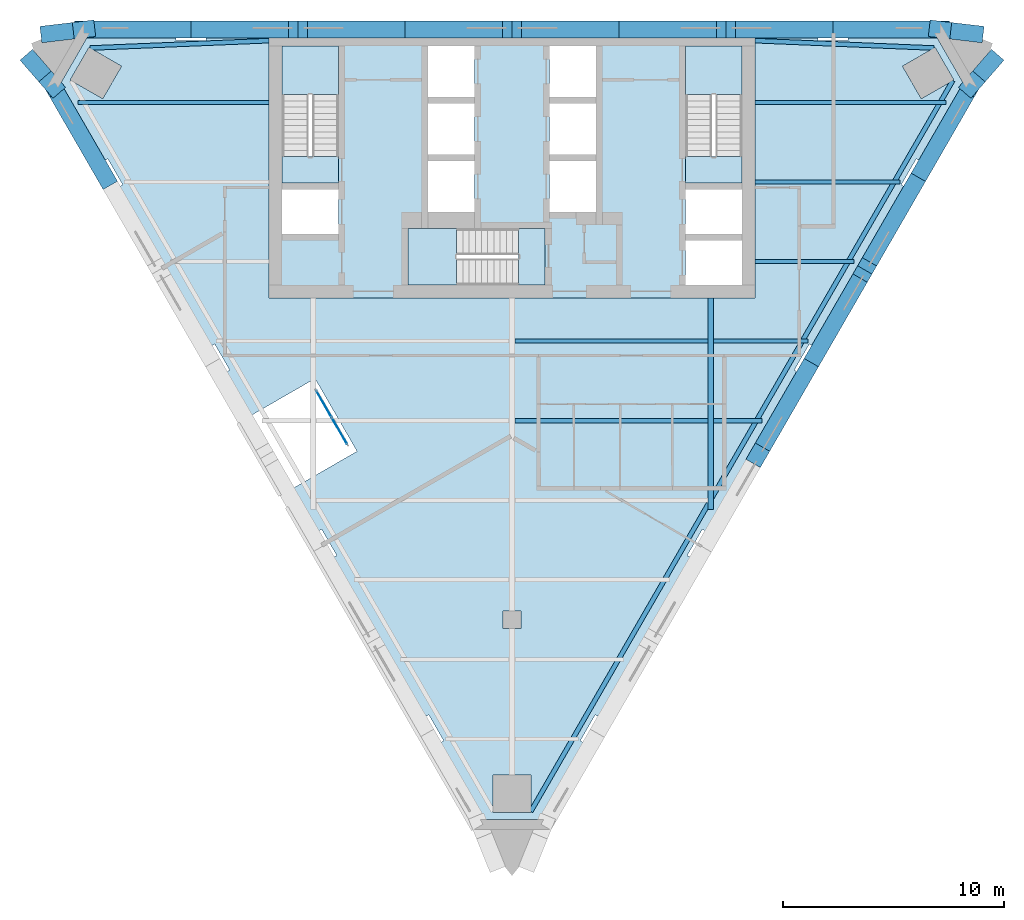
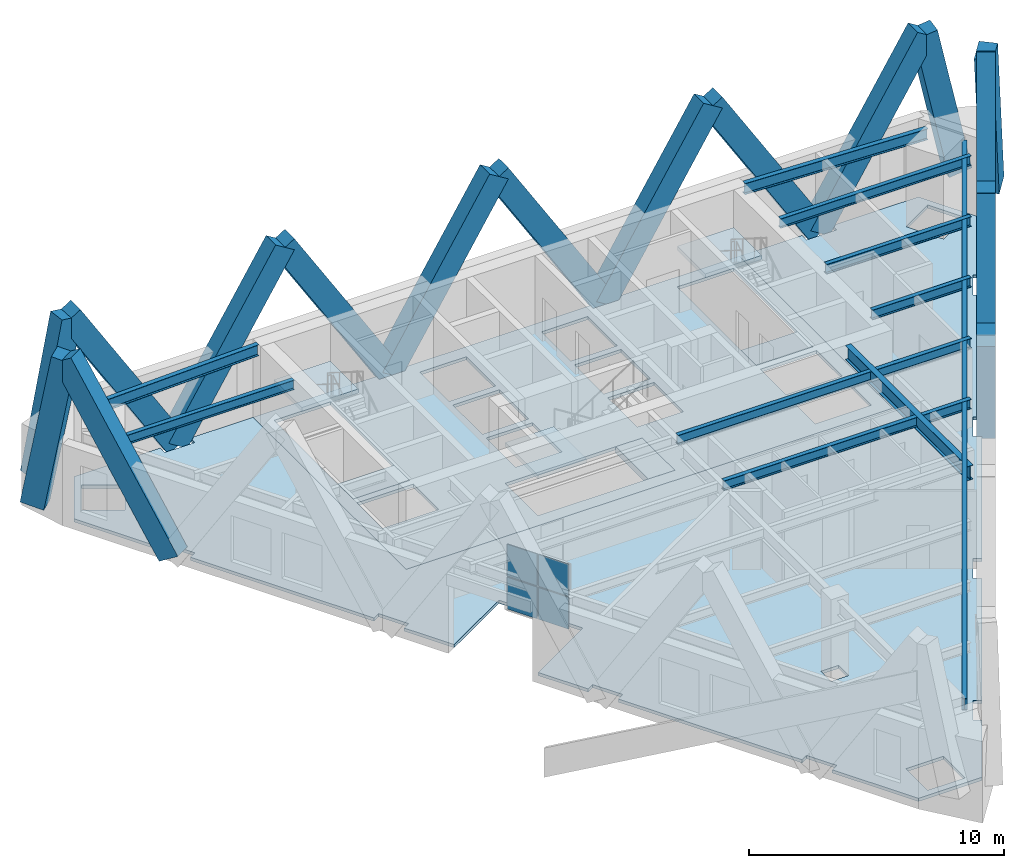
# One storey, part 3 of 9: 17 members, 12 beams, 8 slabs, 4 plates, 4 elements without a shape of their own.
"""IFC4 building model written with IfcOpenShell, lengths in metres."""

from ifc_helpers import new_model, si_unit, direction, frame, origin, origin_2d, place, context, subcontext, project, spatial, polyline, rectangle, i_section, outline, extrude, material, layer, layer_set, material_profile, profile_set, type_object, element, aggregate, save


model = new_model("IFC4")

# Units and contexts
model_context = context("Model", 3, precision=1e-05, world=origin(), true_north=direction((0.0, 1.0)))
body_context = subcontext(model_context, "Body", "Model", "MODEL_VIEW")
ifc_project = project(units=[si_unit("LENGTHUNIT", "METRE"), si_unit("AREAUNIT", "SQUARE_METRE"), si_unit("VOLUMEUNIT", "CUBIC_METRE"), si_unit("PLANEANGLEUNIT", "RADIAN"), si_unit("MASSUNIT", "GRAM", prefix="KILO")], contexts=[model_context])

# Site, building, storey
site_placement = place(None, origin())
site = spatial("IfcSite", under=ifc_project, at=site_placement, CompositionType="ELEMENT")
building_placement = place(site_placement, origin())
building = spatial("IfcBuilding", under=site, at=building_placement, Name="Aloe Facet Convention Tower", CompositionType="ELEMENT")
storey_placement = place(building_placement, frame((0.0, 0.0, 203.60009765625)))
storey = spatial("IfcBuildingStorey", under=building, at=storey_placement, Name="L51", CompositionType="ELEMENT", Elevation=203.60009765625)

# Beams
ifc_material_1 = material(Name="Steel S355", Category="steel")
ifc_material_profile_1 = material_profile(ifc_material_1, i_section(OverallWidth=0.19140625, OverallDepth=0.4599609375, WebThickness=0.010009765625, FlangeThickness=0.01611328125, FilletRadius=0.01025390625, at=origin_2d()), Name="UB 457x191x82")
ifc_profile_set_1 = profile_set([ifc_material_profile_1], Name="Steel S355")
beam_type_1 = type_object("IfcBeamType", Name="SF-B-UB457x191x82", PredefinedType="BEAM", material=ifc_profile_set_1)
beam_1_placement = place(storey_placement, frame((60.373779296875, 131.39990234375, 3.52001953125), z_axis=(1.0, 0.0, 0.0), x_axis=(0.0, 1.0, 0.0)))
element("IfcBeam", 1, at=beam_1_placement, inside=storey, type_object=beam_type_1, Name="Floor beam FB-Z4B-009", PredefinedType="BEAM", context=body_context, shape_type="SweptSolid", body=[
    extrude(i_section(OverallWidth=0.19140625, OverallDepth=0.4599609375, WebThickness=0.010009765625, FlangeThickness=0.01611328125, FilletRadius=0.01025390625, at=origin_2d()), origin(), (0.0, 0.0, 1.0), 8.626220703125),
])
for number, where, z_axis, x_axis, name in (
    (2, (80.12646484375, 117.0, 3.52001953125), (1.0, 0.0, 0.0), (0.0, 1.0, 0.0), "Floor beam FB-Z4B-024"),
    (3, (80.12646484375, 120.60009765625, 3.52001953125), (1.0, 0.0, 0.0), (0.0, 1.0, 0.0), "Floor beam FB-Z4B-025"),
):
    element("IfcBeam", number, at=place(storey_placement, frame(where, z_axis=z_axis, x_axis=x_axis)), inside=storey, type_object=beam_type_1, Name=name, PredefinedType="BEAM", context=body_context, shape_type="SweptSolid", body=[
        extrude(i_section(OverallWidth=0.19140625, OverallDepth=0.4599609375, WebThickness=0.010009765625, FlangeThickness=0.01611328125, FilletRadius=0.01025390625, at=origin_2d()), origin(), (0.0, 0.0, 1.0), 8.7470703125),
    ])
beam_2_placement = place(storey_placement, frame((89.12646484375, 117.0, 3.52001953125), z_axis=(1.0, 0.0, 0.0), x_axis=(0.0, 1.0, 0.0)))
element("IfcBeam", 4, at=beam_2_placement, inside=storey, type_object=beam_type_1, Name="Floor beam FB-Z4B-026", PredefinedType="BEAM", context=body_context, shape_type="SweptSolid", body=[
    extrude(i_section(OverallWidth=0.19140625, OverallDepth=0.4599609375, WebThickness=0.010009765625, FlangeThickness=0.01611328125, FilletRadius=0.01025390625, at=origin_2d()), origin(), (0.0, 0.0, 1.0), 2.185791015625),
])
beam_3_placement = place(storey_placement, frame((89.12646484375, 120.60009765625, 3.52001953125), z_axis=(1.0, 0.0, 0.0), x_axis=(0.0, 1.0, 0.0)))
element("IfcBeam", 5, at=beam_3_placement, inside=storey, type_object=beam_type_1, Name="Floor beam FB-Z4B-027", PredefinedType="BEAM", context=body_context, shape_type="SweptSolid", body=[
    extrude(i_section(OverallWidth=0.19140625, OverallDepth=0.4599609375, WebThickness=0.010009765625, FlangeThickness=0.01611328125, FilletRadius=0.01025390625, at=origin_2d()), origin(), (0.0, 0.0, 1.0), 4.264404296875),
])
beam_4_placement = place(storey_placement, frame((91.0, 124.199951171875, 3.52001953125), z_axis=(1.0, 0.0, 0.0), x_axis=(0.0, 1.0, 0.0)))
element("IfcBeam", 6, at=beam_4_placement, inside=storey, type_object=beam_type_1, Name="Floor beam FB-Z4B-028", PredefinedType="BEAM", context=body_context, shape_type="SweptSolid", body=[
    extrude(i_section(OverallWidth=0.19140625, OverallDepth=0.4599609375, WebThickness=0.010009765625, FlangeThickness=0.01611328125, FilletRadius=0.01025390625, at=origin_2d()), origin(), (0.0, 0.0, 1.0), 4.46923828125),
])
beam_5_placement = place(storey_placement, frame((91.0, 127.800048828125, 3.52001953125), z_axis=(1.0, 0.0, 0.0), x_axis=(0.0, 1.0, 0.0)))
element("IfcBeam", 7, at=beam_5_placement, inside=storey, type_object=beam_type_1, Name="Floor beam FB-Z4B-029", PredefinedType="BEAM", context=body_context, shape_type="SweptSolid", body=[
    extrude(i_section(OverallWidth=0.19140625, OverallDepth=0.4599609375, WebThickness=0.010009765625, FlangeThickness=0.01611328125, FilletRadius=0.01025390625, at=origin_2d()), origin(), (0.0, 0.0, 1.0), 6.547607421875),
])
beam_6_placement = place(storey_placement, frame((91.0, 131.39990234375, 3.52001953125), z_axis=(1.0, 0.0, 0.0), x_axis=(0.0, 1.0, 0.0)))
element("IfcBeam", 8, at=beam_6_placement, inside=storey, type_object=beam_type_1, Name="Floor beam FB-Z4B-030", PredefinedType="BEAM", context=body_context, shape_type="SweptSolid", body=[
    extrude(i_section(OverallWidth=0.19140625, OverallDepth=0.4599609375, WebThickness=0.010009765625, FlangeThickness=0.01611328125, FilletRadius=0.01025390625, at=origin_2d()), origin(), (0.0, 0.0, 1.0), 8.626220703125),
])
ifc_material_2 = material(Name="Steel S355", Category="steel")
ifc_material_profile_2 = material_profile(ifc_material_2, i_section(OverallWidth=0.209228515625, OverallDepth=0.533203125, WebThickness=0.010009765625, FlangeThickness=0.015625, FilletRadius=0.0126953125, at=origin_2d()), Name="UB 533x210x92")
ifc_profile_set_2 = profile_set([ifc_material_profile_2], Name="Steel S355")
beam_type_2 = type_object("IfcBeamType", Name="SF-B-UB533x210x92", PredefinedType="BEAM", material=ifc_profile_set_2)
for number, where, z_axis, x_axis, name in (
    (9, (60.9072265625, 133.861572265625, 3.4833984375), (0.999150743543, 0.041204267721, 0.0), (-0.041204267721, 0.999150743543, 0.0), "Floor beam FB-Z4B-001"),
    (10, (91.0, 134.1953125, 3.4833984375), (0.999150743543, -0.041204267721, 0.0), (0.041204267721, 0.999150743543, 0.0), "Floor beam FB-Z4B-003"),
):
    element("IfcBeam", number, at=place(storey_placement, frame(where, z_axis=z_axis, x_axis=x_axis)), inside=storey, type_object=beam_type_2, Name=name, PredefinedType="BEAM", context=body_context, shape_type="SweptSolid", body=[
        extrude(i_section(OverallWidth=0.209228515625, OverallDepth=0.533203125, WebThickness=0.010009765625, FlangeThickness=0.015625, FilletRadius=0.0126953125, at=origin_2d()), origin(), (0.0, 0.0, 1.0), 8.099609375),
    ])
beam_7_placement = place(storey_placement, frame((99.94287109375, 132.389404296875, 3.4833984375), z_axis=(-0.499998065821, -0.866026520481, 0.0), x_axis=(0.866026520481, -0.499998065821, 0.0)))
element("IfcBeam", 11, at=beam_7_placement, inside=storey, type_object=beam_type_2, Name="Floor beam FB-Z4B-004", PredefinedType="BEAM", context=body_context, shape_type="SweptSolid", body=[
    extrude(i_section(OverallWidth=0.209228515625, OverallDepth=0.533203125, WebThickness=0.010009765625, FlangeThickness=0.015625, FilletRadius=0.0126953125, at=origin_2d()), origin(), (0.0, 0.0, 1.0), 38.185791015625),
])
ifc_material_3 = material(Name="Steel S355", Category="steel")
ifc_material_profile_3 = material_profile(ifc_material_3, i_section(OverallWidth=0.2529296875, OverallDepth=0.677978515625, WebThickness=0.01171875, FlangeThickness=0.01611328125, FilletRadius=0.01513671875, at=origin_2d()), Name="UB 686x254x125")
ifc_profile_set_3 = profile_set([ifc_material_profile_3], Name="Steel S355")
beam_type_3 = type_object("IfcBeamType", Name="SF-B-UB686x254x125", PredefinedType="BEAM", material=ifc_profile_set_3)
beam_8_placement = place(storey_placement, frame((89.0, 122.550048828125, 3.410888671875), z_axis=(0.0, -1.0, 0.0), x_axis=(1.0, 0.0, 0.0)))
element("IfcBeam", 12, at=beam_8_placement, inside=storey, type_object=beam_type_3, Name="Floor beam FB-Z4B-008", PredefinedType="BEAM", context=body_context, shape_type="SweptSolid", body=[
    extrude(i_section(OverallWidth=0.2529296875, OverallDepth=0.677978515625, WebThickness=0.01171875, FlangeThickness=0.01611328125, FilletRadius=0.01513671875, at=origin_2d()), origin(), (0.0, 0.0, 1.0), 9.5625),
])

# Members
ifc_material_4 = material(Name="Concrete C60/75, bronze oxide finish", Category="concrete")
ifc_material_profile_4 = material_profile(ifc_material_4, rectangle(XDim=0.75, YDim=1.0, at=origin_2d()), Name="STW-LM")
ifc_profile_set_4 = profile_set([ifc_material_profile_4], Name="Concrete C60/75, bronze oxide finish")
member_type = type_object("IfcMemberType", Name="STW-LM", PredefinedType="BRACE", material=ifc_profile_set_4)
for number, where, z_axis, x_axis, name in (
    (13, (94.5234375, 134.699951171875, 0.0), (0.527347635333, 0.0, 0.849649616906), (0.0, 1.0, 0.0), "Lattice member LM-Z4-F1-R3-01"),
    (14, (94.5234375, 134.699951171875, 0.0), (-0.527347635333, 0.0, 0.849649616906), (0.0, -1.0, 0.0), "Lattice member LM-Z4-F1-R3-02"),
):
    element("IfcMember", number, at=place(storey_placement, frame(where, z_axis=z_axis, x_axis=x_axis)), inside=storey, type_object=member_type, Name=name, PredefinedType="BRACE", context=body_context, shape_type="SweptSolid", body=[
        extrude(rectangle(XDim=0.75, YDim=1.0, at=origin_2d()), origin(), (0.0, 0.0, 1.0), 9.179931640625),
    ])
member_1_placement = place(storey_placement, frame((84.841064453125, 134.699951171875, 0.0), z_axis=(0.527366833811, 0.0, 0.849637700786), x_axis=(0.0, 1.0, 0.0)))
element("IfcMember", 15, at=member_1_placement, inside=storey, type_object=member_type, Name="Lattice member LM-Z4-F1-R3-03", PredefinedType="BRACE", context=body_context, shape_type="SweptSolid", body=[
    extrude(rectangle(XDim=0.75, YDim=1.0, at=origin_2d()), origin(), (0.0, 0.0, 1.0), 9.18017578125),
])
for number, where, z_axis, x_axis, name in (
    (16, (84.841064453125, 134.699951171875, 0.0), (-0.527347635333, 0.0, 0.849649616906), (0.0, -1.0, 0.0), "Lattice member LM-Z4-F1-R3-04"),
    (17, (75.158935546875, 134.699951171875, 0.0), (0.527347635333, 0.0, 0.849649616906), (0.0, 1.0, 0.0), "Lattice member LM-Z4-F1-R3-05"),
):
    element("IfcMember", number, at=place(storey_placement, frame(where, z_axis=z_axis, x_axis=x_axis)), inside=storey, type_object=member_type, Name=name, PredefinedType="BRACE", context=body_context, shape_type="SweptSolid", body=[
        extrude(rectangle(XDim=0.75, YDim=1.0, at=origin_2d()), origin(), (0.0, 0.0, 1.0), 9.179931640625),
    ])
member_2_placement = place(storey_placement, frame((75.158935546875, 134.699951171875, 0.0), z_axis=(-0.527366833811, 0.0, 0.849637700786), x_axis=(0.0, -1.0, 0.0)))
element("IfcMember", 18, at=member_2_placement, inside=storey, type_object=member_type, Name="Lattice member LM-Z4-F1-R3-06", PredefinedType="BRACE", context=body_context, shape_type="SweptSolid", body=[
    extrude(rectangle(XDim=0.75, YDim=1.0, at=origin_2d()), origin(), (0.0, 0.0, 1.0), 9.18017578125),
])
for number, where, z_axis, x_axis, name in (
    (19, (65.4765625, 134.699951171875, 0.0), (0.527347635333, 0.0, 0.849649616906), (0.0, 1.0, 0.0), "Lattice member LM-Z4-F1-R3-07"),
    (20, (65.4765625, 134.699951171875, 0.0), (-0.527347635333, 0.0, 0.849649616906), (0.0, -1.0, 0.0), "Lattice member LM-Z4-F1-R3-08"),
):
    element("IfcMember", number, at=place(storey_placement, frame(where, z_axis=z_axis, x_axis=x_axis)), inside=storey, type_object=member_type, Name=name, PredefinedType="BRACE", context=body_context, shape_type="SweptSolid", body=[
        extrude(rectangle(XDim=0.75, YDim=1.0, at=origin_2d()), origin(), (0.0, 0.0, 1.0), 9.179931640625),
    ])
for number, where, z_axis, x_axis, name in (
    (21, (61.61572265625, 128.012939453125, 0.0), (-0.263659580045, 0.456710305438, 0.849646586975), (-0.866043662766, -0.499968373182, 0.0), "Lattice member LM-Z4-F2-R3-01"),
    (22, (93.54296875, 119.6279296875, 0.0), (-0.263659580045, -0.456710305438, 0.849646586975), (0.866043662766, -0.499968373182, 0.0), "Lattice member LM-Z4-F3-R3-05"),
):
    element("IfcMember", number, at=place(storey_placement, frame(where, z_axis=z_axis, x_axis=x_axis)), inside=storey, type_object=member_type, Name=name, PredefinedType="BRACE", context=body_context, shape_type="SweptSolid", body=[
        extrude(rectangle(XDim=0.75, YDim=1.0, at=origin_2d()), origin(), (0.0, 0.0, 1.0), 9.18017578125),
    ])
member_3_placement = place(storey_placement, frame((93.54296875, 119.6279296875, 0.0), z_axis=(0.263687528337, 0.45668605513, 0.849650948596), x_axis=(-0.866009217892, 0.500028033741, 0.0)))
element("IfcMember", 23, at=member_3_placement, inside=storey, type_object=member_type, Name="Lattice member LM-Z4-F3-R3-06", PredefinedType="BRACE", context=body_context, shape_type="SweptSolid", body=[
    extrude(rectangle(XDim=0.75, YDim=1.0, at=origin_2d()), origin(), (0.0, 0.0, 1.0), 9.179931640625),
])
for number, where, z_axis, x_axis, name in (
    (24, (98.38427734375, 128.012939453125, 0.0), (-0.263684325691, -0.456707102884, 0.849640629066), (0.866021826347, -0.500006196252, 0.0), "Lattice member LM-Z4-F3-R3-07"),
    (25, (98.38427734375, 128.012939453125, 0.0), (0.263659580045, 0.456710305438, 0.849646586975), (-0.866043662766, 0.499968373182, 0.0), "Lattice member LM-Z4-F3-R3-08"),
):
    element("IfcMember", number, at=place(storey_placement, frame(where, z_axis=z_axis, x_axis=x_axis)), inside=storey, type_object=member_type, Name=name, PredefinedType="BRACE", context=body_context, shape_type="SweptSolid", body=[
        extrude(rectangle(XDim=0.75, YDim=1.0, at=origin_2d()), origin(), (0.0, 0.0, 1.0), 9.18017578125),
    ])
member_4_placement = place(storey_placement, frame((101.65478515625, 133.184814453125, 0.550048828125), z_axis=(-0.115426829119, -0.132962955657, 0.984376706115), x_axis=(0.755148387328, -0.655553897949, 0.0)))
element("IfcMember", 26, at=member_4_placement, inside=storey, type_object=member_type, Name="Lattice member LM-Z4-F6-R2-05", PredefinedType="BRACE", context=body_context, shape_type="SweptSolid", body=[
    extrude(rectangle(XDim=0.75, YDim=1.0, at=origin_2d()), origin(), (0.0, 0.0, 1.0), 7.36474609375),
])
for number, where, z_axis, x_axis, name in (
    (27, (100.830078125, 134.526611328125, 0.806884765625), (-0.205063173011, 0.024253681965, 0.978448186664), (-0.117455519333, -0.993078144447, 0.0), "Lattice member LM-Z4-F6-R2-06"),
    (28, (59.169921875, 134.526611328125, 0.806884765625), (0.205063173011, 0.024253681965, 0.978448186664), (-0.117455519333, 0.993078144447, 0.0), "Lattice member LM-Z4-F4-R2-05"),
):
    element("IfcMember", number, at=place(storey_placement, frame(where, z_axis=z_axis, x_axis=x_axis)), inside=storey, type_object=member_type, Name=name, PredefinedType="BRACE", context=body_context, shape_type="SweptSolid", body=[
        extrude(rectangle(XDim=0.75, YDim=1.0, at=origin_2d()), origin(), (0.0, 0.0, 1.0), 7.14697265625),
    ])
member_5_placement = place(storey_placement, frame((58.34521484375, 133.184814453125, 0.550048828125), z_axis=(0.115426829119, -0.132962955657, 0.984376706115), x_axis=(0.755148387328, 0.655553897949, 0.0)))
element("IfcMember", 29, at=member_5_placement, inside=storey, type_object=member_type, Name="Lattice member LM-Z4-F4-R2-06", PredefinedType="BRACE", context=body_context, shape_type="SweptSolid", body=[
    extrude(rectangle(XDim=0.75, YDim=1.0, at=origin_2d()), origin(), (0.0, 0.0, 1.0), 7.36474609375),
])

# Slabs
ifc_material_5 = material(Name="Concrete C50/60", Category="concrete")
ifc_layer_1 = layer(ifc_material_5, 0.14990234375)
ifc_layer_set_1 = layer_set([ifc_layer_1], Name="CR-S-FLOOR150-C5060")
slab_type_1 = type_object("IfcSlabType", Name="CR-S-FLOOR150-C5060", PredefinedType="FLOOR", material=ifc_layer_set_1)
slab_1_placement = place(storey_placement, frame((0.0, 0.0, -0.150146484375)))
element("IfcSlab", 30, at=slab_1_placement, inside=storey, type_object=slab_type_1, Name="Core floor L51", PredefinedType="FLOOR", context=body_context, shape_type="SweptSolid", body=[
    extrude(outline(polyline([(71.85009765625, 134.550048828125), (72.75, 134.550048828125), (75.60009765625, 134.550048828125), (76.5, 134.550048828125), (78.0, 134.550048828125), (78.89990234375, 134.550048828125), (81.10009765625, 134.550048828125), (82.0, 134.550048828125), (83.5, 134.550048828125), (84.39990234375, 134.550048828125), (87.25, 134.550048828125), (88.14990234375, 134.550048828125), (91.0, 134.550048828125), (91.0, 128.050048828125), (91.0, 127.14990234375), (91.0, 125.75), (91.0, 124.85009765625), (91.0, 122.550048828125), (88.14990234375, 122.550048828125), (87.25, 122.550048828125), (85.300048828125, 122.550048828125), (84.39990234375, 122.550048828125), (82.10009765625, 122.550048828125), (81.199951171875, 122.550048828125), (75.60009765625, 122.550048828125), (74.699951171875, 122.550048828125), (72.75, 122.550048828125), (71.85009765625, 122.550048828125), (69.0, 122.550048828125), (69.0, 124.85009765625), (69.0, 125.75), (69.0, 127.14990234375), (69.0, 128.050048828125), (69.0, 134.550048828125), (71.85009765625, 134.550048828125)]), holes=[polyline([(80.298828125, 123.14990234375), (81.5, 123.14990234375), (81.5, 125.699951171875), (80.298828125, 125.699951171875), (75.300048828125, 125.699951171875), (75.300048828125, 123.14990234375), (80.298828125, 123.14990234375)]), polyline([(69.60009765625, 125.449951171875), (72.14990234375, 125.449951171875), (72.14990234375, 127.449951171875), (69.60009765625, 127.449951171875), (69.60009765625, 125.449951171875)]), polyline([(76.199951171875, 126.449951171875), (78.300048828125, 126.449951171875), (78.300048828125, 128.75), (76.199951171875, 128.75), (76.199951171875, 126.449951171875)]), polyline([(78.300048828125, 129.050048828125), (78.300048828125, 131.35009765625), (76.199951171875, 131.35009765625), (76.199951171875, 129.050048828125), (78.300048828125, 129.050048828125)]), polyline([(69.60009765625, 133.949951171875), (69.60009765625, 128.951171875), (69.60009765625, 127.75), (72.14990234375, 127.75), (72.14990234375, 128.951171875), (72.14990234375, 133.949951171875), (69.60009765625, 133.949951171875)]), polyline([(76.199951171875, 131.64990234375), (78.300048828125, 131.64990234375), (78.300048828125, 133.949951171875), (76.199951171875, 133.949951171875), (76.199951171875, 131.64990234375)]), polyline([(90.39990234375, 123.14990234375), (90.39990234375, 125.14990234375), (87.85009765625, 125.14990234375), (87.85009765625, 123.14990234375), (90.39990234375, 123.14990234375)]), polyline([(87.85009765625, 125.449951171875), (90.39990234375, 125.449951171875), (90.39990234375, 127.449951171875), (87.85009765625, 127.449951171875), (87.85009765625, 125.449951171875)]), polyline([(81.699951171875, 126.449951171875), (83.800048828125, 126.449951171875), (83.800048828125, 128.75), (81.699951171875, 128.75), (81.699951171875, 126.449951171875)]), polyline([(83.800048828125, 129.050048828125), (83.800048828125, 131.35009765625), (81.699951171875, 131.35009765625), (81.699951171875, 129.050048828125), (83.800048828125, 129.050048828125)]), polyline([(87.85009765625, 133.949951171875), (87.85009765625, 128.951171875), (87.85009765625, 127.75), (90.39990234375, 127.75), (90.39990234375, 128.951171875), (90.39990234375, 133.949951171875), (87.85009765625, 133.949951171875)]), polyline([(81.699951171875, 131.64990234375), (83.800048828125, 131.64990234375), (83.800048828125, 133.949951171875), (81.699951171875, 133.949951171875), (81.699951171875, 131.64990234375)])]), origin(), (0.0, 0.0, 1.0), 0.150146484375),
])
ifc_material_6 = material(Name="Concrete C50/60", Category="concrete")
ifc_layer_2 = layer(ifc_material_6, 0.300048828125)
ifc_layer_set_2 = layer_set([ifc_layer_2], Name="CR-S-FLOOR300-C5060")
slab_type_2 = type_object("IfcSlabType", Name="CR-S-FLOOR300-C5060", PredefinedType="FLOOR", material=ifc_layer_set_2)
slab_2_placement = place(storey_placement, frame((0.0, 0.0, -0.300048828125)))
element("IfcSlab", 31, at=slab_2_placement, inside=storey, type_object=slab_type_2, Name="Stair landing floor L51", PredefinedType="FLOOR", context=body_context, shape_type="SweptSolid", body=[
    extrude(outline(polyline([(72.14990234375, 127.75), (72.14990234375, 128.951171875), (69.60009765625, 128.951171875), (69.60009765625, 127.75), (72.14990234375, 127.75)])), origin(), (0.0, 0.0, 1.0), 0.300048828125),
])
slab_3_placement = place(storey_placement, frame((0.0, 0.0, -0.300048828125)))
element("IfcSlab", 32, at=slab_3_placement, inside=storey, type_object=slab_type_2, Name="Stair landing floor L51", PredefinedType="FLOOR", context=body_context, shape_type="SweptSolid", body=[
    extrude(outline(polyline([(90.39990234375, 127.75), (90.39990234375, 128.951171875), (87.85009765625, 128.951171875), (87.85009765625, 127.75), (90.39990234375, 127.75)])), origin(), (0.0, 0.0, 1.0), 0.300048828125),
])
slab_4_placement = place(storey_placement, frame((0.0, 0.0, -0.300048828125)))
element("IfcSlab", 33, at=slab_4_placement, inside=storey, type_object=slab_type_2, Name="Stair landing floor L51", PredefinedType="FLOOR", context=body_context, shape_type="SweptSolid", body=[
    extrude(outline(polyline([(81.5, 125.699951171875), (80.298828125, 125.699951171875), (80.298828125, 123.14990234375), (81.5, 123.14990234375), (81.5, 125.699951171875)])), origin(), (0.0, 0.0, 1.0), 0.300048828125),
])

# Stair, slab
ifc_material_7 = material(Name="Concrete C50/60", Category="concrete")
stair_type = type_object("IfcStairType", Name="CR-ST-22R", PredefinedType="HALF_TURN_STAIR", material=ifc_material_7)
stair_1_placement = place(storey_placement, origin())
stair_1 = element("IfcStair", 34, at=stair_1_placement, inside=storey, type_object=stair_type, Name="L51 Protected exit stair ST1", PredefinedType="HALF_TURN_STAIR")
ifc_material_8 = material(Name="Concrete C50/60", Category="concrete")
ifc_layer_3 = layer(ifc_material_8, 0.199951171875)
ifc_layer_set_3 = layer_set([ifc_layer_3], Name="CR-SL-LANDING")
slab_type_3 = type_object("IfcSlabType", Name="CR-SL-LANDING", PredefinedType="LANDING", material=ifc_layer_set_3)
slab_5_placement = place(storey_placement, frame((0.0, 0.0, 1.75)))
slab_5 = element("IfcSlab", 35, at=slab_5_placement, type_object=slab_type_3, Name="ST1 landing 1", PredefinedType="LANDING", context=body_context, shape_type="SweptSolid", body=[
    extrude(outline(polyline([(72.14990234375, 131.75), (72.14990234375, 133.949951171875), (69.60009765625, 133.949951171875), (69.60009765625, 131.75), (72.14990234375, 131.75)])), origin(), (0.0, 0.0, 1.0), 0.199951171875),
])
aggregate(stair_1, [slab_5])

stair_2_placement = place(storey_placement, origin())
stair_2 = element("IfcStair", 36, at=stair_2_placement, inside=storey, type_object=stair_type, Name="L51 Protected exit stair ST2", PredefinedType="HALF_TURN_STAIR")
slab_6_placement = place(storey_placement, frame((0.0, 0.0, 1.75)))
slab_6 = element("IfcSlab", 37, at=slab_6_placement, type_object=slab_type_3, Name="ST2 landing 1", PredefinedType="LANDING", context=body_context, shape_type="SweptSolid", body=[
    extrude(outline(polyline([(90.39990234375, 131.75), (90.39990234375, 133.949951171875), (87.85009765625, 133.949951171875), (87.85009765625, 131.75), (90.39990234375, 131.75)])), origin(), (0.0, 0.0, 1.0), 0.199951171875),
])
aggregate(stair_2, [slab_6])

stair_3_placement = place(storey_placement, origin())
stair_3 = element("IfcStair", 38, at=stair_3_placement, inside=storey, type_object=stair_type, Name="L51 Protected exit stair ST3", PredefinedType="HALF_TURN_STAIR")
slab_7_placement = place(storey_placement, frame((0.0, 0.0, 1.75)))
slab_7 = element("IfcSlab", 39, at=slab_7_placement, type_object=slab_type_3, Name="ST3 landing 1", PredefinedType="LANDING", context=body_context, shape_type="SweptSolid", body=[
    extrude(outline(polyline([(77.5, 125.699951171875), (75.300048828125, 125.699951171875), (75.300048828125, 123.14990234375), (77.5, 123.14990234375), (77.5, 125.699951171875)])), origin(), (0.0, 0.0, 1.0), 0.199951171875),
])
aggregate(stair_3, [slab_7])

# Curtain wall, plates
ifc_material_9 = material(Name="Aluminium, anodised", Category="aluminium")
curtain_wall_type = type_object("IfcCurtainWallType", Name="EV-CW-TERRACE", PredefinedType="USERDEFINED", material=ifc_material_9)
curtain_wall_placement = place(storey_placement, origin())
curtain_wall = element("IfcCurtainWall", 40, at=curtain_wall_placement, inside=storey, type_object=curtain_wall_type, Name="CW-T11", ObjectType="TERRACE BACK GLAZING", PredefinedType="USERDEFINED")
ifc_material_10 = material(Name="Clear double glazing", Category="glass")
ifc_layer_4 = layer(ifc_material_10, 0.028076171875)
ifc_layer_set_4 = layer_set([ifc_layer_4], Name="EV-PANEL-TERRACE")
plate_type = type_object("IfcPlateType", Name="EV-PANEL-TERRACE", PredefinedType="CURTAIN_PANEL", material=ifc_layer_set_4)
plate_1_placement = place(storey_placement, frame((71.488525390625, 117.7626953125, -0.090087890625), z_axis=(0.0, 0.0, 1.0), x_axis=(0.5, -0.866025403784, 0.0)))
plate_1 = element("IfcPlate", 41, at=plate_1_placement, type_object=plate_type, Name="CW-T11 panel 1.1", PredefinedType="CURTAIN_PANEL", context=body_context, shape_type="SweptSolid", body=[
    extrude(rectangle(XDim=1.360107421875, YDim=0.028076171875, at=origin_2d()), origin(), (0.0, 0.0, 1.0), 1.52099609375),
])
plate_2_placement = place(storey_placement, frame((71.488525390625, 117.7626953125, 1.490966796875), z_axis=(0.0, 0.0, 1.0), x_axis=(0.5, -0.866025403784, 0.0)))
plate_2 = element("IfcPlate", 42, at=plate_2_placement, type_object=plate_type, Name="CW-T11 panel 1.2", PredefinedType="CURTAIN_PANEL", context=body_context, shape_type="SweptSolid", body=[
    extrude(rectangle(XDim=1.360107421875, YDim=0.028076171875, at=origin_2d()), origin(), (0.0, 0.0, 1.0), 1.52099609375),
])
plate_3_placement = place(storey_placement, frame((72.19873046875, 116.532958984375, -0.090087890625), z_axis=(0.0, 0.0, 1.0), x_axis=(0.5, -0.866025403784, 0.0)))
plate_3 = element("IfcPlate", 43, at=plate_3_placement, type_object=plate_type, Name="CW-T11 panel 2.1", PredefinedType="CURTAIN_PANEL", context=body_context, shape_type="SweptSolid", body=[
    extrude(rectangle(XDim=1.360107421875, YDim=0.028076171875, at=origin_2d()), origin(), (0.0, 0.0, 1.0), 1.52099609375),
])
plate_4_placement = place(storey_placement, frame((72.19873046875, 116.532958984375, 1.490966796875), z_axis=(0.0, 0.0, 1.0), x_axis=(0.5, -0.866025403784, 0.0)))
plate_4 = element("IfcPlate", 44, at=plate_4_placement, type_object=plate_type, Name="CW-T11 panel 2.2", PredefinedType="CURTAIN_PANEL", context=body_context, shape_type="SweptSolid", body=[
    extrude(rectangle(XDim=1.360107421875, YDim=0.028076171875, at=origin_2d()), origin(), (0.0, 0.0, 1.0), 1.52099609375),
])
aggregate(curtain_wall, [plate_1, plate_2, plate_3, plate_4])

# Slab
ifc_material_11 = material(Name="Concrete C35/45", Category="concrete")
ifc_layer_5 = layer(ifc_material_11, 0.14990234375)
ifc_layer_set_5 = layer_set([ifc_layer_5], Name="SF-FS-150")
slab_type_4 = type_object("IfcSlabType", Name="SF-FS-150", PredefinedType="FLOOR", material=ifc_layer_set_5)
slab_8_placement = place(storey_placement, frame((0.0, 0.0, -0.150146484375)))
element("IfcSlab", 45, at=slab_8_placement, inside=storey, type_object=slab_type_4, Name="Floor slab L51-1", PredefinedType="FLOOR", context=body_context, shape_type="SweptSolid", body=[
    extrude(outline(polyline([(66.927490234375, 119.112548828125), (67.230712890625, 119.28759765625), (66.76904296875, 120.087158203125), (66.69580078125, 120.21435546875), (66.595703125, 120.387451171875), (66.549072265625, 120.468017578125), (66.24609375, 120.293212890625), (62.08642578125, 127.497802734375), (62.3896484375, 127.672607421875), (62.201416015625, 127.998779296875), (62.048828125, 128.262939453125), (62.046630859375, 128.2666015625), (61.937744140625, 128.455322265625), (61.927978515625, 128.472412109375), (61.7080078125, 128.853271484375), (61.40478515625, 128.67822265625), (59.455078125, 132.055419921875), (60.895263671875, 134.550048828125), (64.794921875, 134.550048828125), (64.794921875, 134.199951171875), (64.88818359375, 134.199951171875), (65.23486328125, 134.199951171875), (65.4765625, 134.199951171875), (65.71826171875, 134.199951171875), (66.06494140625, 134.199951171875), (66.158203125, 134.199951171875), (66.158203125, 134.550048828125), (69.0, 134.550048828125), (69.0, 128.050048828125), (69.0, 127.14990234375), (69.0, 125.75), (69.0, 124.85009765625), (69.0, 122.550048828125), (71.85009765625, 122.550048828125), (72.75, 122.550048828125), (74.699951171875, 122.550048828125), (75.60009765625, 122.550048828125), (81.199951171875, 122.550048828125), (82.10009765625, 122.550048828125), (84.39990234375, 122.550048828125), (85.300048828125, 122.550048828125), (87.25, 122.550048828125), (88.14990234375, 122.550048828125), (91.0, 122.550048828125), (91.0, 124.85009765625), (91.0, 125.75), (91.0, 127.14990234375), (91.0, 128.050048828125), (91.0, 134.550048828125), (93.841796875, 134.550048828125), (93.841796875, 134.199951171875), (93.93505859375, 134.199951171875), (94.28173828125, 134.199951171875), (94.5234375, 134.199951171875), (94.76513671875, 134.199951171875), (95.11181640625, 134.199951171875), (95.205078125, 134.199951171875), (95.205078125, 134.550048828125), (99.104736328125, 134.550048828125), (100.544921875, 132.055419921875), (98.59521484375, 128.67822265625), (98.2919921875, 128.853271484375), (98.24560546875, 128.772705078125), (98.072021484375, 128.472412109375), (98.0390625, 128.4150390625), (97.983642578125, 128.319091796875), (97.951171875, 128.262939453125), (97.918701171875, 128.206787109375), (97.86328125, 128.11083984375), (97.830322265625, 128.0537109375), (97.656982421875, 127.75341796875), (97.6103515625, 127.672607421875), (97.91357421875, 127.497802734375), (93.75390625, 120.293212890625), (93.450927734375, 120.468017578125), (93.404296875, 120.387451171875), (93.30419921875, 120.21435546875), (92.9892578125, 119.66845703125), (92.840576171875, 119.4111328125), (92.769287109375, 119.28759765625), (93.072509765625, 119.112548828125), (88.912841796875, 111.907958984375), (88.609619140625, 112.0830078125), (88.56298828125, 112.002197265625), (88.463134765625, 111.8291015625), (88.148193359375, 111.283447265625), (87.927978515625, 110.90234375), (88.231201171875, 110.727294921875), (84.07177734375, 103.522705078125), (83.7685546875, 103.69775390625), (83.721923828125, 103.6171875), (83.721923828125, 103.6171875), (83.427734375, 103.107666015625), (83.306884765625, 102.898193359375), (83.133544921875, 102.597900390625), (83.0869140625, 102.517333984375), (83.39013671875, 102.34228515625), (81.440185546875, 98.965087890625), (78.559814453125, 98.965087890625), (76.60986328125, 102.34228515625), (76.9130859375, 102.517333984375), (76.7666015625, 102.77099609375), (76.693115234375, 102.898193359375), (76.572265625, 103.107666015625), (76.539794921875, 103.163818359375), (76.484375, 103.259765625), (76.451416015625, 103.31689453125), (76.278076171875, 103.6171875), (76.2314453125, 103.69775390625), (75.92822265625, 103.522705078125), (71.768798828125, 110.727294921875), (72.072021484375, 110.90234375), (71.851806640625, 111.283447265625), (71.731201171875, 111.49267578125), (71.687744140625, 111.56787109375), (71.610107421875, 111.701904296875), (71.43798828125, 112.000244140625), (71.43701171875, 112.002197265625), (71.390380859375, 112.0830078125), (71.087158203125, 111.907958984375), (69.95751953125, 113.86474609375), (72.988525390625, 115.61474609375), (71.08837890625, 118.90576171875), (68.057373046875, 117.15576171875), (66.927490234375, 119.112548828125)]), holes=[polyline([(62.33203125, 133.038818359375), (60.85986328125, 133.888916015625), (60.010009765625, 132.41650390625), (61.482177734375, 131.566650390625), (62.33203125, 133.038818359375)]), polyline([(79.14990234375, 100.965087890625), (79.14990234375, 99.264892578125), (80.85009765625, 99.264892578125), (80.85009765625, 100.965087890625), (79.14990234375, 100.965087890625)]), polyline([(79.60009765625, 107.60009765625), (80.39990234375, 107.60009765625), (80.39990234375, 108.39990234375), (79.60009765625, 108.39990234375), (79.60009765625, 107.60009765625)]), polyline([(98.517822265625, 131.566650390625), (99.989990234375, 132.41650390625), (99.14013671875, 133.888916015625), (97.66796875, 133.038818359375), (98.517822265625, 131.566650390625)])]), origin(), (0.0, 0.0, 1.0), 0.150146484375),
])

save(model, "model.ifc")
